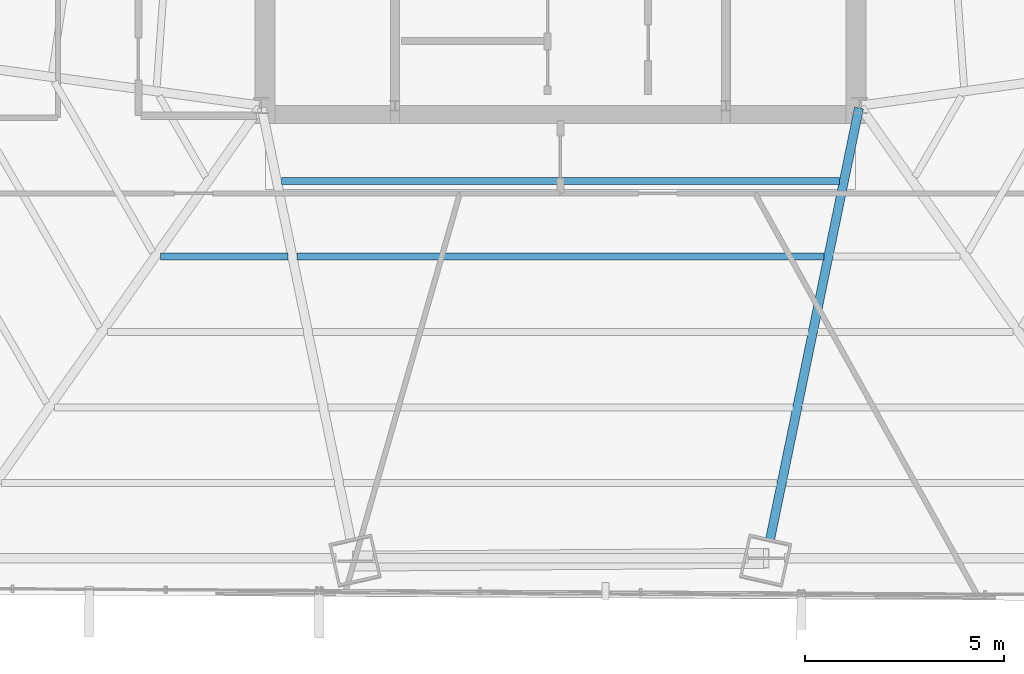
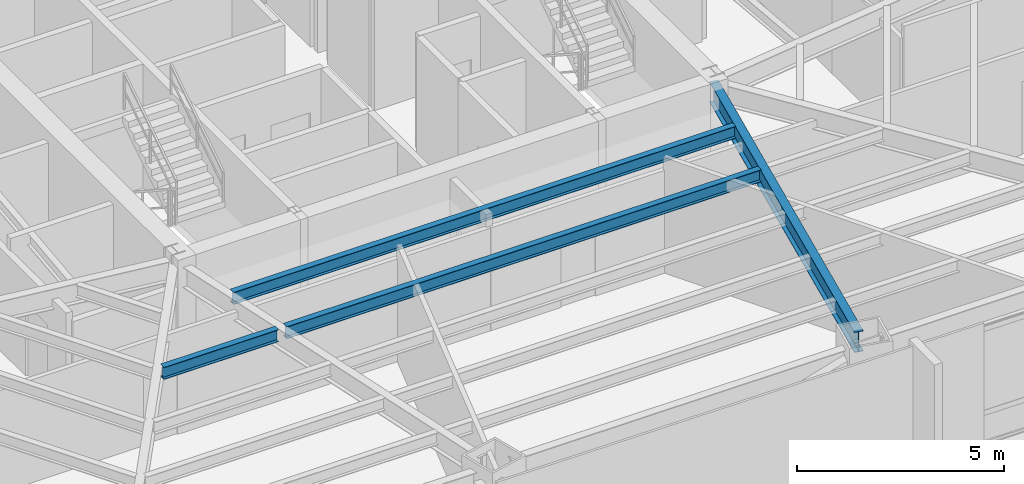
# One storey, part 10 of 35: 4 beams.
"""IFC4 building model written with IfcOpenShell, lengths in metres."""

from ifc_helpers import new_model, si_unit, direction, frame, origin, origin_2d, place, context, subcontext, project, spatial, i_section, extrude, source, transform, mapped, material, material_profile, profile_set, type_object, type_shapes, element, save


model = new_model("IFC4")

# Units and contexts
model_context = context("Model", 3, precision=1e-05, world=origin(), true_north=direction((0.0, 1.0)))
body_context = subcontext(model_context, "Body", "Model", "MODEL_VIEW")
ifc_project = project(units=[si_unit("LENGTHUNIT", "METRE"), si_unit("AREAUNIT", "SQUARE_METRE"), si_unit("VOLUMEUNIT", "CUBIC_METRE"), si_unit("PLANEANGLEUNIT", "RADIAN"), si_unit("MASSUNIT", "GRAM", prefix="KILO")], contexts=[model_context])

# Site, building, storey
site_placement = place(None, origin())
site = spatial("IfcSite", under=ifc_project, at=site_placement, CompositionType="ELEMENT")
building_placement = place(site_placement, origin())
building = spatial("IfcBuilding", under=site, at=building_placement, Name="Caelisora Broadcast Tower", CompositionType="ELEMENT")
storey_placement = place(building_placement, frame((0.0, 0.0, 87.14990234375)))
storey = spatial("IfcBuildingStorey", under=building, at=storey_placement, Name="L22", CompositionType="ELEMENT", Elevation=87.14990234375)

# Beams
ifc_material = material(Name="Steel Grade 350 (AS/NZS 3679.1)", Category="steel")
ifc_material_profile_1 = material_profile(ifc_material, i_section(OverallWidth=0.22802734375, OverallDepth=0.602294921875, WebThickness=0.010498046875, FlangeThickness=0.014892578125, at=origin_2d()), Name="Steel Grade 350 (AS/NZS 3679.1)")
ifc_profile_set_1 = profile_set([ifc_material_profile_1], Name="Steel Grade 350 (AS/NZS 3679.1)")
beam_type_1 = type_object("IfcBeamType", Name="PG04", PredefinedType="BEAM", material=ifc_profile_set_1)
shared_shape_1 = source(origin(), body_context, "Body", "SweptSolid", [
    extrude(i_section(OverallWidth=0.22802734375, OverallDepth=0.602294921875, WebThickness=0.010498046875, FlangeThickness=0.014892578125, at=origin_2d()), origin(), (0.0, 0.0, 1.0), 11.106689453125),
])
type_shapes(beam_type_1, [shared_shape_1])
beam_1_placement = place(storey_placement, frame((45.48779296875, 17.34130859375, 3.098876953125), z_axis=(-0.201832160537, -0.979420123835, 0.0), x_axis=(0.979420123835, -0.201832160537, 0.0)))
element("IfcBeam", 1, at=beam_1_placement, inside=storey, type_object=beam_type_1, Name="L22 beam PG04", PredefinedType="BEAM", context=body_context, shape_type="MappedRepresentation", body=[
    mapped(shared_shape_1, transform((0.0, 0.0, 0.0), scale=1.0)),
])
ifc_material_profile_2 = material_profile(ifc_material, i_section(OverallWidth=0.172119140625, OverallDepth=0.358642578125, WebThickness=0.008056640625, FlangeThickness=0.012939453125, at=origin_2d()), Name="Steel Grade 350 (AS/NZS 3679.1)")
ifc_profile_set_2 = profile_set([ifc_material_profile_2], Name="Steel Grade 350 (AS/NZS 3679.1)")
beam_type_2 = type_object("IfcBeamType", Name="SB02", PredefinedType="JOIST", material=ifc_profile_set_2)
shared_shape_2 = source(origin(), body_context, "Body", "SweptSolid", [
    extrude(i_section(OverallWidth=0.172119140625, OverallDepth=0.358642578125, WebThickness=0.008056640625, FlangeThickness=0.012939453125, at=origin_2d()), origin(), (0.0, 0.0, 1.0), 3.191162109375),
])
beam_2_placement = place(storey_placement, frame((27.97509765625, 13.6171875, 3.220703125), z_axis=(1.0, 0.0, 0.0), x_axis=(0.0, 1.0, 0.0)))
element("IfcBeam", 2, at=beam_2_placement, inside=storey, type_object=beam_type_2, Name="L22 beam SB02", PredefinedType="JOIST", context=body_context, shape_type="MappedRepresentation", body=[
    mapped(shared_shape_2, transform((0.0, 0.0, 0.0), scale=1.0)),
])
shared_shape_3 = source(origin(), body_context, "Body", "SweptSolid", [
    extrude(i_section(OverallWidth=0.172119140625, OverallDepth=0.358642578125, WebThickness=0.008056640625, FlangeThickness=0.012939453125, at=origin_2d()), origin(), (0.0, 0.0, 1.0), 13.99365234375),
])
beam_3_placement = place(storey_placement, frame((31.003173828125, 15.508544921875, 3.220703125), z_axis=(1.0, 0.0, 0.0), x_axis=(0.0, 1.0, 0.0)))
element("IfcBeam", 3, at=beam_3_placement, inside=storey, type_object=beam_type_2, Name="L22 beam SB02", PredefinedType="JOIST", context=body_context, shape_type="MappedRepresentation", body=[
    mapped(shared_shape_3, transform((0.0, 0.0, 0.0), scale=1.0)),
])
shared_shape_4 = source(origin(), body_context, "Body", "SweptSolid", [
    extrude(i_section(OverallWidth=0.172119140625, OverallDepth=0.358642578125, WebThickness=0.008056640625, FlangeThickness=0.012939453125, at=origin_2d()), origin(), (0.0, 0.0, 1.0), 13.2138671875),
])
type_shapes(beam_type_2, [shared_shape_2, shared_shape_3, shared_shape_4])
beam_4_placement = place(storey_placement, frame((31.39306640625, 13.6171875, 3.220703125), z_axis=(1.0, 0.0, 0.0), x_axis=(0.0, 1.0, 0.0)))
element("IfcBeam", 4, at=beam_4_placement, inside=storey, type_object=beam_type_2, Name="L22 beam SB02", PredefinedType="JOIST", context=body_context, shape_type="MappedRepresentation", body=[
    mapped(shared_shape_4, transform((0.0, 0.0, 0.0), scale=1.0)),
])

save(model, "model.ifc")
